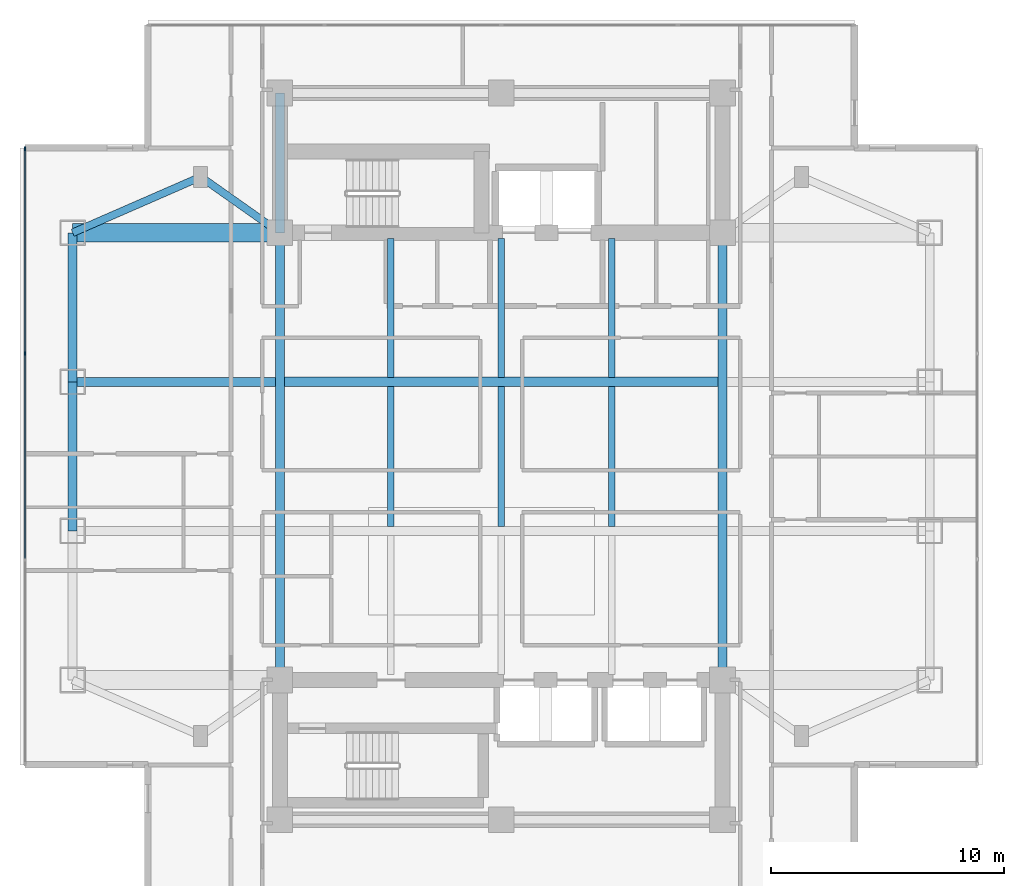
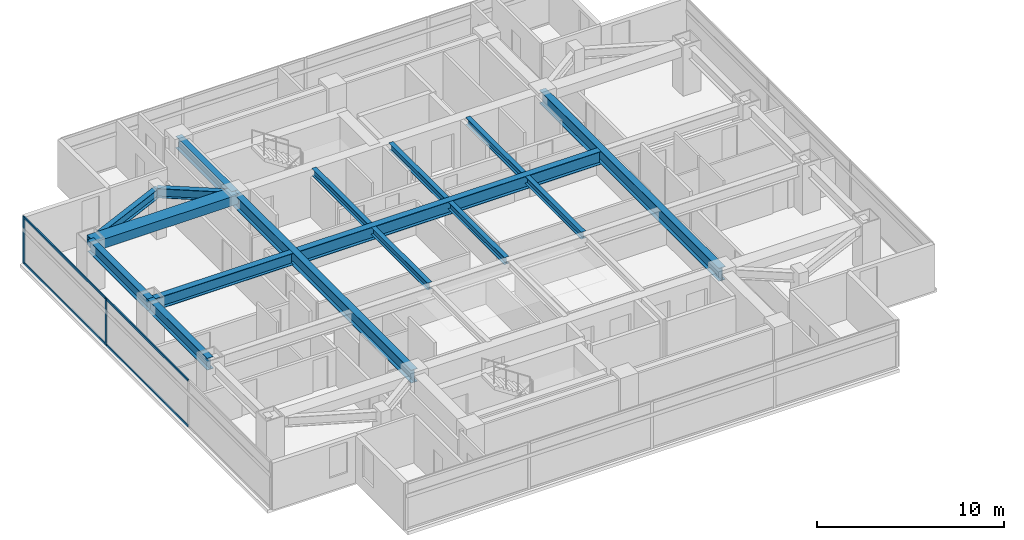
# One storey, part 3 of 27: 16 beams, 6 members, 1 element without a shape of its own.
"""IFC4 building model written with IfcOpenShell, lengths in metres."""

from ifc_helpers import new_model, si_unit, direction, frame, origin, origin_2d, place, context, subcontext, project, spatial, rectangle, i_section, extrude, material, material_profile, profile_set, type_object, element, aggregate, save


model = new_model("IFC4")

# Units and contexts
model_context = context("Model", 3, precision=1e-05, world=origin(), true_north=direction((0.0, 1.0)))
body_context = subcontext(model_context, "Body", "Model", "MODEL_VIEW")
ifc_project = project(units=[si_unit("LENGTHUNIT", "METRE"), si_unit("AREAUNIT", "SQUARE_METRE"), si_unit("VOLUMEUNIT", "CUBIC_METRE"), si_unit("PLANEANGLEUNIT", "RADIAN"), si_unit("MASSUNIT", "GRAM", prefix="KILO")], contexts=[model_context])

# Site, building, storey
site_placement = place(None, origin())
site = spatial("IfcSite", under=ifc_project, at=site_placement, CompositionType="ELEMENT")
building_placement = place(site_placement, origin())
building = spatial("IfcBuilding", under=site, at=building_placement, Name="Mirazonda Arch Towers", CompositionType="ELEMENT")
storey_placement = place(building_placement, frame((0.0, 0.0, 124.699951171875)))
storey = spatial("IfcBuildingStorey", under=building, at=storey_placement, Name="L35", CompositionType="ELEMENT", Elevation=124.699951171875)

# Beams
ifc_material_1 = material(Name="Steel ASTM A992 Grade 50", Category="steel")
ifc_material_profile_1 = material_profile(ifc_material_1, i_section(OverallWidth=0.381103515625, OverallDepth=0.77294921875, WebThickness=0.0166015625, FlangeThickness=0.027099609375, at=origin_2d()), Name="W30X173")
ifc_profile_set_1 = profile_set([ifc_material_profile_1], Name="Steel ASTM A992 Grade 50")
beam_type_1 = type_object("IfcBeamType", Name="BM-EXT-W30X173", PredefinedType="USERDEFINED", material=ifc_profile_set_1)
beam_1_placement = place(storey_placement, frame((2.10009765625, 24.800048828125, 2.693603515625), z_axis=(0.0, 1.0, 0.0), x_axis=(-1.0, 0.0, 0.0)))
element("IfcBeam", 1, at=beam_1_placement, inside=storey, type_object=beam_type_1, Name="L35 Floor Beam BM-T1-L35-NS-W-24", ObjectType="GIRDER", PredefinedType="USERDEFINED", context=body_context, shape_type="SweptSolid", body=[
    extrude(i_section(OverallWidth=0.381103515625, OverallDepth=0.77294921875, WebThickness=0.0166015625, FlangeThickness=0.027099609375, at=origin_2d()), origin(), (0.0, 0.0, 1.0), 6.39990234375),
])
beam_2_placement = place(storey_placement, frame((2.10009765625, 31.199951171875, 2.693603515625), z_axis=(0.0, 1.0, 0.0), x_axis=(-1.0, 0.0, 0.0)))
element("IfcBeam", 2, at=beam_2_placement, inside=storey, type_object=beam_type_1, Name="L35 Floor Beam BM-T1-L35-NS-W-31", ObjectType="GIRDER", PredefinedType="USERDEFINED", context=body_context, shape_type="SweptSolid", body=[
    extrude(i_section(OverallWidth=0.381103515625, OverallDepth=0.77294921875, WebThickness=0.0166015625, FlangeThickness=0.027099609375, at=origin_2d()), origin(), (0.0, 0.0, 1.0), 6.400146484375),
])
ifc_material_profile_2 = material_profile(ifc_material_1, i_section(OverallWidth=0.280029296875, OverallDepth=0.462890625, WebThickness=0.0107421875, FlangeThickness=0.017333984375, at=origin_2d()), Name="W18X76")
ifc_profile_set_2 = profile_set([ifc_material_profile_2], Name="Steel ASTM A992 Grade 50")
beam_type_2 = type_object("IfcBeamType", Name="BM-INT-W18X76", PredefinedType="JOIST", material=ifc_profile_set_2)
beam_3_placement = place(storey_placement, frame((15.75, 31.39599609375, 2.8486328125), z_axis=(0.0, 1.0, 0.0), x_axis=(-1.0, 0.0, 0.0)))
element("IfcBeam", 3, at=beam_3_placement, inside=storey, type_object=beam_type_2, Name="L35 Floor Beam BM-T1-L35-J-157-31", PredefinedType="JOIST", context=body_context, shape_type="SweptSolid", body=[
    extrude(i_section(OverallWidth=0.280029296875, OverallDepth=0.462890625, WebThickness=0.0107421875, FlangeThickness=0.017333984375, at=origin_2d()), origin(), (0.0, 0.0, 1.0), 5.964111328125),
])
beam_4_placement = place(storey_placement, frame((15.75, 24.99609375, 2.8486328125), z_axis=(0.0, 1.0, 0.0), x_axis=(-1.0, 0.0, 0.0)))
element("IfcBeam", 4, at=beam_4_placement, inside=storey, type_object=beam_type_2, Name="L35 Floor Beam BM-T1-L35-J-157-24", PredefinedType="JOIST", context=body_context, shape_type="SweptSolid", body=[
    extrude(i_section(OverallWidth=0.280029296875, OverallDepth=0.462890625, WebThickness=0.0107421875, FlangeThickness=0.017333984375, at=origin_2d()), origin(), (0.0, 0.0, 1.0), 6.0078125),
])
beam_5_placement = place(storey_placement, frame((20.5, 31.39599609375, 2.8486328125), z_axis=(0.0, 1.0, 0.0), x_axis=(-1.0, 0.0, 0.0)))
element("IfcBeam", 5, at=beam_5_placement, inside=storey, type_object=beam_type_2, Name="L35 Floor Beam BM-T1-L35-J-205-31", PredefinedType="JOIST", context=body_context, shape_type="SweptSolid", body=[
    extrude(i_section(OverallWidth=0.280029296875, OverallDepth=0.462890625, WebThickness=0.0107421875, FlangeThickness=0.017333984375, at=origin_2d()), origin(), (0.0, 0.0, 1.0), 5.964111328125),
])
beam_6_placement = place(storey_placement, frame((20.5, 24.99609375, 2.8486328125), z_axis=(0.0, 1.0, 0.0), x_axis=(-1.0, 0.0, 0.0)))
element("IfcBeam", 6, at=beam_6_placement, inside=storey, type_object=beam_type_2, Name="L35 Floor Beam BM-T1-L35-J-205-24", PredefinedType="JOIST", context=body_context, shape_type="SweptSolid", body=[
    extrude(i_section(OverallWidth=0.280029296875, OverallDepth=0.462890625, WebThickness=0.0107421875, FlangeThickness=0.017333984375, at=origin_2d()), origin(), (0.0, 0.0, 1.0), 6.0078125),
])
beam_7_placement = place(storey_placement, frame((25.25, 31.39599609375, 2.8486328125), z_axis=(0.0, 1.0, 0.0), x_axis=(-1.0, 0.0, 0.0)))
element("IfcBeam", 7, at=beam_7_placement, inside=storey, type_object=beam_type_2, Name="L35 Floor Beam BM-T1-L35-J-252-31", PredefinedType="JOIST", context=body_context, shape_type="SweptSolid", body=[
    extrude(i_section(OverallWidth=0.280029296875, OverallDepth=0.462890625, WebThickness=0.0107421875, FlangeThickness=0.017333984375, at=origin_2d()), origin(), (0.0, 0.0, 1.0), 5.964111328125),
])
beam_8_placement = place(storey_placement, frame((25.25, 24.99609375, 2.8486328125), z_axis=(0.0, 1.0, 0.0), x_axis=(-1.0, 0.0, 0.0)))
element("IfcBeam", 8, at=beam_8_placement, inside=storey, type_object=beam_type_2, Name="L35 Floor Beam BM-T1-L35-J-252-24", PredefinedType="JOIST", context=body_context, shape_type="SweptSolid", body=[
    extrude(i_section(OverallWidth=0.280029296875, OverallDepth=0.462890625, WebThickness=0.0107421875, FlangeThickness=0.017333984375, at=origin_2d()), origin(), (0.0, 0.0, 1.0), 6.0078125),
])
ifc_material_profile_3 = material_profile(ifc_material_1, i_section(OverallWidth=0.324951171875, OverallDepth=0.615966796875, WebThickness=0.013916015625, FlangeThickness=0.021484375, at=origin_2d()), Name="W24X117")
ifc_profile_set_3 = profile_set([ifc_material_profile_3], Name="Steel ASTM A992 Grade 50")
beam_type_3 = type_object("IfcBeamType", Name="BM-INT-W24X117", PredefinedType="BEAM", material=ifc_profile_set_3)
beam_9_placement = place(storey_placement, frame((7.60009765625, 40.0, 2.77197265625), z_axis=(0.816971114901, -0.576678591087, 0.0), x_axis=(0.576678591087, 0.816971114901, 0.0)))
element("IfcBeam", 9, at=beam_9_placement, inside=storey, type_object=beam_type_3, Name="L35 Floor Beam BM-T1-L35-PL-NW1", PredefinedType="BEAM", context=body_context, shape_type="SweptSolid", body=[
    extrude(i_section(OverallWidth=0.324951171875, OverallDepth=0.615966796875, WebThickness=0.013916015625, FlangeThickness=0.021484375, at=origin_2d()), origin(), (0.0, 0.0, 1.0), 4.16162109375),
])
beam_10_placement = place(storey_placement, frame((7.60009765625, 40.0, 2.77197265625), z_axis=(-0.916545343703, -0.399930785183, 0.0), x_axis=(0.399930785183, -0.916545343703, 0.0)))
element("IfcBeam", 10, at=beam_10_placement, inside=storey, type_object=beam_type_3, Name="L35 Floor Beam BM-T1-L35-PL-NW2", PredefinedType="BEAM", context=body_context, shape_type="SweptSolid", body=[
    extrude(i_section(OverallWidth=0.324951171875, OverallDepth=0.615966796875, WebThickness=0.013916015625, FlangeThickness=0.021484375, at=origin_2d()), origin(), (0.0, 0.0, 1.0), 6.000732421875),
])
ifc_material_profile_4 = material_profile(ifc_material_1, i_section(OverallWidth=0.381103515625, OverallDepth=0.77294921875, WebThickness=0.0166015625, FlangeThickness=0.027099609375, at=origin_2d()), Name="W30X173")
ifc_profile_set_4 = profile_set([ifc_material_profile_4], Name="Steel ASTM A992 Grade 50")
beam_type_4 = type_object("IfcBeamType", Name="BM-INT-W30X173", PredefinedType="USERDEFINED", material=ifc_profile_set_4)
beam_11_placement = place(storey_placement, frame((2.10009765625, 31.199951171875, 2.693603515625), z_axis=(1.0, 0.0, 0.0), x_axis=(0.0, 1.0, 0.0)))
element("IfcBeam", 11, at=beam_11_placement, inside=storey, type_object=beam_type_4, Name="L35 Floor Beam BM-T1-L35-GW3", ObjectType="GIRDER", PredefinedType="USERDEFINED", context=body_context, shape_type="SweptSolid", body=[
    extrude(i_section(OverallWidth=0.381103515625, OverallDepth=0.77294921875, WebThickness=0.0166015625, FlangeThickness=0.027099609375, at=origin_2d()), origin(), (0.0, 0.0, 1.0), 8.699951171875),
])
beam_12_placement = place(storey_placement, frame((11.0, 37.60009765625, 2.693603515625), z_axis=(0.0, 1.0, 0.0), x_axis=(-1.0, 0.0, 0.0)))
element("IfcBeam", 12, at=beam_12_placement, inside=storey, type_object=beam_type_4, Name="L35 Floor Beam BM-T1-L35-CNW", ObjectType="GIRDER", PredefinedType="USERDEFINED", context=body_context, shape_type="SweptSolid", body=[
    extrude(i_section(OverallWidth=0.381103515625, OverallDepth=0.77294921875, WebThickness=0.0166015625, FlangeThickness=0.027099609375, at=origin_2d()), origin(), (0.0, 0.0, 1.0), 6.0),
])
ifc_material_profile_5 = material_profile(ifc_material_1, i_section(OverallWidth=0.39990234375, OverallDepth=0.85595703125, WebThickness=0.018310546875, FlangeThickness=0.029296875, at=origin_2d()), Name="W33X201")
ifc_profile_set_5 = profile_set([ifc_material_profile_5], Name="Steel ASTM A992 Grade 50")
beam_type_5 = type_object("IfcBeamType", Name="BM-INT-W33X201", PredefinedType="USERDEFINED", material=ifc_profile_set_5)
beam_13_placement = place(storey_placement, frame((11.199951171875, 31.199951171875, 2.652099609375), z_axis=(1.0, 0.0, 0.0), x_axis=(0.0, 1.0, 0.0)))
element("IfcBeam", 13, at=beam_13_placement, inside=storey, type_object=beam_type_5, Name="L35 Floor Beam BM-T1-L35-GC3", ObjectType="GIRDER", PredefinedType="USERDEFINED", context=body_context, shape_type="SweptSolid", body=[
    extrude(i_section(OverallWidth=0.39990234375, OverallDepth=0.85595703125, WebThickness=0.018310546875, FlangeThickness=0.029296875, at=origin_2d()), origin(), (0.0, 0.0, 1.0), 18.60009765625),
])
for number, where, z_axis, x_axis, name in (
    (14, (11.0, 18.39990234375, 2.652099609375), (0.0, 1.0, 0.0), (-1.0, 0.0, 0.0), "L35 Floor Beam BM-T1-L35-NS-CW-FULL"),
    (15, (30.0, 18.39990234375, 2.652099609375), (0.0, 1.0, 0.0), (-1.0, 0.0, 0.0), "L35 Floor Beam BM-T1-L35-NS-CE-FULL"),
):
    element("IfcBeam", number, at=place(storey_placement, frame(where, z_axis=z_axis, x_axis=x_axis)), inside=storey, type_object=beam_type_5, Name=name, ObjectType="GIRDER", PredefinedType="USERDEFINED", context=body_context, shape_type="SweptSolid", body=[
        extrude(i_section(OverallWidth=0.39990234375, OverallDepth=0.85595703125, WebThickness=0.018310546875, FlangeThickness=0.029296875, at=origin_2d()), origin(), (0.0, 0.0, 1.0), 19.2001953125),
    ])
ifc_material_2 = material(Name="Concrete C60/75", Category="concrete")
ifc_material_profile_6 = material_profile(ifc_material_2, rectangle(XDim=0.800048828125, YDim=0.60009765625, at=origin_2d()), Name="RCCB800x600")
ifc_profile_set_6 = profile_set([ifc_material_profile_6], Name="Concrete C60/75")
beam_type_6 = type_object("IfcBeamType", Name="CB-INT-RCCB800x600", PredefinedType="SPANDREL", material=ifc_profile_set_6)
beam_14_placement = place(storey_placement, frame((2.10009765625, 37.60009765625, 2.780029296875), z_axis=(1.0, 0.0, 0.0), x_axis=(0.0, 1.0, 0.0)))
element("IfcBeam", 16, at=beam_14_placement, inside=storey, type_object=beam_type_6, Name="L35 Floor Beam CBC-T1-L35-NW", PredefinedType="SPANDREL", context=body_context, shape_type="SweptSolid", body=[
    extrude(rectangle(XDim=0.800048828125, YDim=0.60009765625, at=origin_2d()), origin(), (0.0, 0.0, 1.0), 8.89990234375),
])

# Curtain wall, members
ifc_material_3 = material(Name="Anodised Aluminium and Low-E Glass", Category="aluminium")
curtain_wall_type = type_object("IfcCurtainWallType", Name="CW-HTL-UNIT", PredefinedType="NOTDEFINED", material=ifc_material_3)
curtain_wall_placement = place(storey_placement, origin())
curtain_wall = element("IfcCurtainWall", 17, at=curtain_wall_placement, inside=storey, type_object=curtain_wall_type, Name="L35 T1 W Facade CW-L35-T1-W", PredefinedType="NOTDEFINED")
ifc_material_4 = material(Name="Anodised Aluminium Alloy", Category="aluminium")
ifc_material_profile_7 = material_profile(ifc_material_4, rectangle(XDim=0.074951171875, YDim=0.1650390625, at=origin_2d()), Name="ALU-MULL-75x165")
ifc_profile_set_7 = profile_set([ifc_material_profile_7], Name="Anodised Aluminium Alloy")
member_type_1 = type_object("IfcMemberType", Name="MULL-CW-HTL-UNIT", PredefinedType="MULLION", material=ifc_profile_set_7)
member_1_placement = place(storey_placement, frame((0.06005859375, 41.20849609375, 0.0), z_axis=(0.0, 0.0, 1.0), x_axis=(1.0, 0.0, 0.0)))
member_1 = element("IfcMember", 18, at=member_1_placement, type_object=member_type_1, Name="CW-112 mullion 1", PredefinedType="MULLION", context=body_context, shape_type="SweptSolid", body=[
    extrude(rectangle(XDim=0.074951171875, YDim=0.1650390625, at=origin_2d()), origin(), (0.0, 0.0, 1.0), 3.06005859375),
])
member_2_placement = place(storey_placement, frame((0.06005859375, 32.415283203125, 0.0), z_axis=(0.0, 0.0, 1.0), x_axis=(1.0, 0.0, 0.0)))
member_2 = element("IfcMember", 19, at=member_2_placement, type_object=member_type_1, Name="CW-112 mullion 2", PredefinedType="MULLION", context=body_context, shape_type="SweptSolid", body=[
    extrude(rectangle(XDim=0.074951171875, YDim=0.1650390625, at=origin_2d()), origin(), (0.0, 0.0, 1.0), 3.06005859375),
])
ifc_material_profile_8 = material_profile(ifc_material_4, rectangle(XDim=0.074951171875, YDim=0.14501953125, at=origin_2d()), Name="ALU-TRAN-75x145")
ifc_profile_set_8 = profile_set([ifc_material_profile_8], Name="Anodised Aluminium Alloy")
member_type_2 = type_object("IfcMemberType", Name="TRAN-CW-HTL-UNIT", PredefinedType="USERDEFINED", material=ifc_profile_set_8)
member_3_placement = place(storey_placement, frame((0.06005859375, 41.1708984375, 0.03759765625), z_axis=(0.0, -1.0, 0.0), x_axis=(1.0, 0.0, 0.0)))
member_3 = element("IfcMember", 20, at=member_3_placement, type_object=member_type_2, Name="CW-112 transom 1.1", ObjectType="TRANSOM", PredefinedType="USERDEFINED", context=body_context, shape_type="SweptSolid", body=[
    extrude(rectangle(XDim=0.074951171875, YDim=0.14501953125, at=origin_2d()), origin(), (0.0, 0.0, 1.0), 8.718017578125),
])
member_4_placement = place(storey_placement, frame((0.06005859375, 41.1708984375, 3.0224609375), z_axis=(0.0, -1.0, 0.0), x_axis=(1.0, 0.0, 0.0)))
member_4 = element("IfcMember", 21, at=member_4_placement, type_object=member_type_2, Name="CW-112 transom 1.2", ObjectType="TRANSOM", PredefinedType="USERDEFINED", context=body_context, shape_type="SweptSolid", body=[
    extrude(rectangle(XDim=0.074951171875, YDim=0.14501953125, at=origin_2d()), origin(), (0.0, 0.0, 1.0), 8.718017578125),
])
member_5_placement = place(storey_placement, frame((0.06005859375, 32.3779296875, 0.03759765625), z_axis=(0.0, -1.0, 0.0), x_axis=(1.0, 0.0, 0.0)))
member_5 = element("IfcMember", 22, at=member_5_placement, type_object=member_type_2, Name="CW-112 transom 2.1", ObjectType="TRANSOM", PredefinedType="USERDEFINED", context=body_context, shape_type="SweptSolid", body=[
    extrude(rectangle(XDim=0.074951171875, YDim=0.14501953125, at=origin_2d()), origin(), (0.0, 0.0, 1.0), 8.755859375),
])
member_6_placement = place(storey_placement, frame((0.06005859375, 32.3779296875, 3.0224609375), z_axis=(0.0, -1.0, 0.0), x_axis=(1.0, 0.0, 0.0)))
member_6 = element("IfcMember", 23, at=member_6_placement, type_object=member_type_2, Name="CW-112 transom 2.2", ObjectType="TRANSOM", PredefinedType="USERDEFINED", context=body_context, shape_type="SweptSolid", body=[
    extrude(rectangle(XDim=0.074951171875, YDim=0.14501953125, at=origin_2d()), origin(), (0.0, 0.0, 1.0), 8.755859375),
])
aggregate(curtain_wall, [member_1, member_2, member_3, member_4, member_5, member_6])

save(model, "model.ifc")
